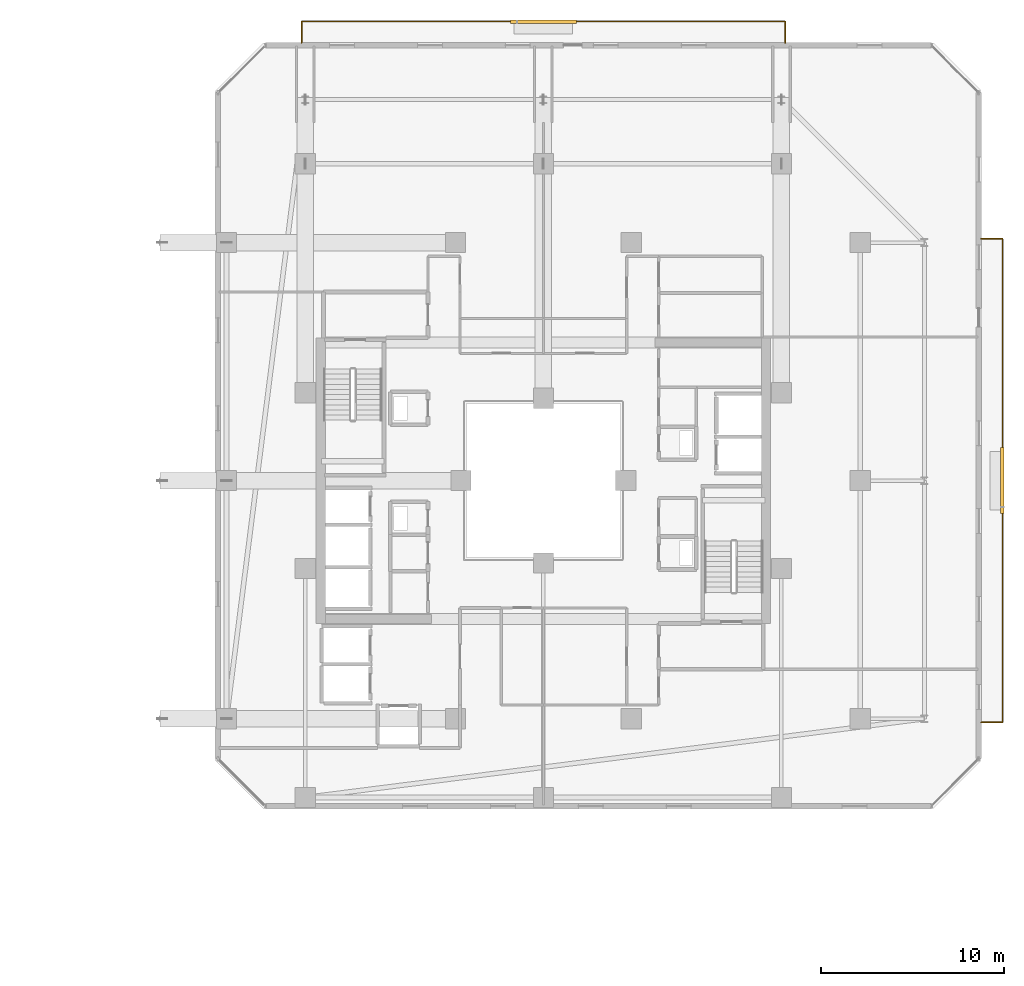
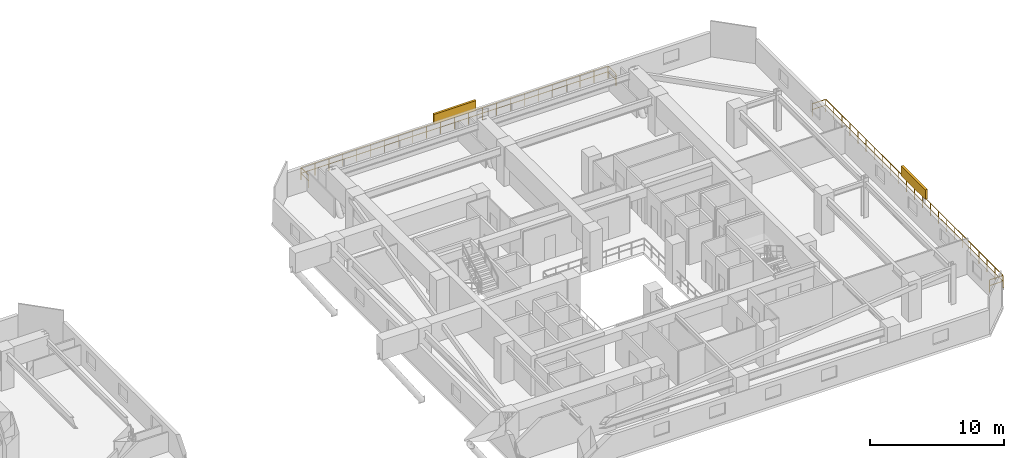
# One storey, part 36 of 36: 2 railings, 2 shading devices.
"""IFC4 building model written with IfcOpenShell, lengths in metres."""

from ifc_helpers import new_model, si_unit, direction, frame, origin, origin_2d, place, context, subcontext, project, spatial, rectangle, extrude, material, type_object, element, save


model = new_model("IFC4")

# Units and contexts
model_context = context("Model", 3, precision=1e-05, world=origin(), true_north=direction((0.0, 1.0)))
body_context = subcontext(model_context, "Body", "Model", "MODEL_VIEW")
ifc_project = project(units=[si_unit("LENGTHUNIT", "METRE"), si_unit("AREAUNIT", "SQUARE_METRE"), si_unit("VOLUMEUNIT", "CUBIC_METRE"), si_unit("PLANEANGLEUNIT", "RADIAN"), si_unit("MASSUNIT", "GRAM", prefix="KILO")], contexts=[model_context])

# Site, building, storey
site_placement = place(None, origin())
site = spatial("IfcSite", under=ifc_project, at=site_placement, CompositionType="ELEMENT")
building_placement = place(site_placement, origin())
building = spatial("IfcBuilding", under=site, at=building_placement, Name="Thornwick Lancets Civic Towers", CompositionType="ELEMENT")
storey_placement = place(building_placement, frame((0.0, 0.0, 170.699951171875)))
storey = spatial("IfcBuildingStorey", under=building, at=storey_placement, Name="L45", CompositionType="ELEMENT", Elevation=170.699951171875)

# Railings
ifc_material_1 = material(Name="Terracotta-capped laminated glass balustrade S355", Category="masonry")
railing_type = type_object("IfcRailingType", Name="RAIL_TERR_GUARD", PredefinedType="GUARDRAIL", material=ifc_material_1)
railing_1_placement = place(storey_placement, frame((112.39990234375, 13.800048828125, 0.0)))
element("IfcRailing", 1, at=railing_1_placement, inside=storey, type_object=railing_type, Name="L45 Tower B Balcony Guard E", PredefinedType="GUARDRAIL", context=body_context, shape_type="SweptSolid", body=[
    extrude(rectangle(XDim=0.048095703125, YDim=0.048095703125, at=origin_2d()), frame((0.0, 0.0, 1.1259765625), z_axis=(1.0, 0.0, 0.0), x_axis=(0.0, 1.0, 0.0)), (0.0, 0.0, 1.0), 1.138916015625),
    extrude(rectangle(XDim=0.0419921875, YDim=0.0419921875, at=origin_2d()), frame((0.03759765625, 0.0, 0.597900390625), z_axis=(1.0, 0.0, 0.0), x_axis=(0.0, 1.0, 0.0)), (0.0, 0.0, 1.0), 1.09521484375),
    extrude(rectangle(XDim=0.048095703125, YDim=0.048095703125, at=origin_2d()), frame((1.170166015625, 0.03125, 1.1259765625), z_axis=(0.0, 1.0, 0.0), x_axis=(-1.0, 0.0, 0.0)), (0.0, 0.0, 1.0), 26.33740234375),
    extrude(rectangle(XDim=0.0419921875, YDim=0.0419921875, at=origin_2d()), frame((1.170166015625, 0.03759765625, 0.597900390625), z_axis=(0.0, 1.0, 0.0), x_axis=(-1.0, 0.0, 0.0)), (0.0, 0.0, 1.0), 1.125),
    extrude(rectangle(XDim=0.0419921875, YDim=0.0419921875, at=origin_2d()), frame((1.170166015625, 1.237548828125, 0.597900390625), z_axis=(0.0, 1.0, 0.0), x_axis=(-1.0, 0.0, 0.0)), (0.0, 0.0, 1.0), 1.125),
    extrude(rectangle(XDim=0.0419921875, YDim=0.0419921875, at=origin_2d()), frame((1.170166015625, 2.4375, 0.597900390625), z_axis=(0.0, 1.0, 0.0), x_axis=(-1.0, 0.0, 0.0)), (0.0, 0.0, 1.0), 1.125),
    extrude(rectangle(XDim=0.0419921875, YDim=0.0419921875, at=origin_2d()), frame((1.170166015625, 3.637451171875, 0.597900390625), z_axis=(0.0, 1.0, 0.0), x_axis=(-1.0, 0.0, 0.0)), (0.0, 0.0, 1.0), 1.125),
    extrude(rectangle(XDim=0.0419921875, YDim=0.0419921875, at=origin_2d()), frame((1.170166015625, 4.83740234375, 0.597900390625), z_axis=(0.0, 1.0, 0.0), x_axis=(-1.0, 0.0, 0.0)), (0.0, 0.0, 1.0), 1.125),
    extrude(rectangle(XDim=0.0419921875, YDim=0.0419921875, at=origin_2d()), frame((1.170166015625, 6.037353515625, 0.597900390625), z_axis=(0.0, 1.0, 0.0), x_axis=(-1.0, 0.0, 0.0)), (0.0, 0.0, 1.0), 1.125),
    extrude(rectangle(XDim=0.0419921875, YDim=0.0419921875, at=origin_2d()), frame((1.170166015625, 7.237548828125, 0.597900390625), z_axis=(0.0, 1.0, 0.0), x_axis=(-1.0, 0.0, 0.0)), (0.0, 0.0, 1.0), 1.125),
    extrude(rectangle(XDim=0.0419921875, YDim=0.0419921875, at=origin_2d()), frame((1.170166015625, 8.4375, 0.597900390625), z_axis=(0.0, 1.0, 0.0), x_axis=(-1.0, 0.0, 0.0)), (0.0, 0.0, 1.0), 1.125),
    extrude(rectangle(XDim=0.0419921875, YDim=0.0419921875, at=origin_2d()), frame((1.170166015625, 9.637451171875, 0.597900390625), z_axis=(0.0, 1.0, 0.0), x_axis=(-1.0, 0.0, 0.0)), (0.0, 0.0, 1.0), 1.125),
    extrude(rectangle(XDim=0.0419921875, YDim=0.0419921875, at=origin_2d()), frame((1.170166015625, 10.83740234375, 0.597900390625), z_axis=(0.0, 1.0, 0.0), x_axis=(-1.0, 0.0, 0.0)), (0.0, 0.0, 1.0), 1.125),
    extrude(rectangle(XDim=0.0419921875, YDim=0.0419921875, at=origin_2d()), frame((1.170166015625, 12.037353515625, 0.597900390625), z_axis=(0.0, 1.0, 0.0), x_axis=(-1.0, 0.0, 0.0)), (0.0, 0.0, 1.0), 1.125),
    extrude(rectangle(XDim=0.0419921875, YDim=0.0419921875, at=origin_2d()), frame((1.170166015625, 13.237548828125, 0.597900390625), z_axis=(0.0, 1.0, 0.0), x_axis=(-1.0, 0.0, 0.0)), (0.0, 0.0, 1.0), 1.125),
    extrude(rectangle(XDim=0.0419921875, YDim=0.0419921875, at=origin_2d()), frame((1.170166015625, 14.4375, 0.597900390625), z_axis=(0.0, 1.0, 0.0), x_axis=(-1.0, 0.0, 0.0)), (0.0, 0.0, 1.0), 1.125),
    extrude(rectangle(XDim=0.0419921875, YDim=0.0419921875, at=origin_2d()), frame((1.170166015625, 15.637451171875, 0.597900390625), z_axis=(0.0, 1.0, 0.0), x_axis=(-1.0, 0.0, 0.0)), (0.0, 0.0, 1.0), 1.125),
    extrude(rectangle(XDim=0.0419921875, YDim=0.0419921875, at=origin_2d()), frame((1.170166015625, 16.83740234375, 0.597900390625), z_axis=(0.0, 1.0, 0.0), x_axis=(-1.0, 0.0, 0.0)), (0.0, 0.0, 1.0), 1.125),
    extrude(rectangle(XDim=0.0419921875, YDim=0.0419921875, at=origin_2d()), frame((1.170166015625, 18.037353515625, 0.597900390625), z_axis=(0.0, 1.0, 0.0), x_axis=(-1.0, 0.0, 0.0)), (0.0, 0.0, 1.0), 1.125),
    extrude(rectangle(XDim=0.0419921875, YDim=0.0419921875, at=origin_2d()), frame((1.170166015625, 19.2373046875, 0.597900390625), z_axis=(0.0, 1.0, 0.0), x_axis=(-1.0, 0.0, 0.0)), (0.0, 0.0, 1.0), 1.125),
    extrude(rectangle(XDim=0.0419921875, YDim=0.0419921875, at=origin_2d()), frame((1.170166015625, 20.4375, 0.597900390625), z_axis=(0.0, 1.0, 0.0), x_axis=(-1.0, 0.0, 0.0)), (0.0, 0.0, 1.0), 1.125),
    extrude(rectangle(XDim=0.0419921875, YDim=0.0419921875, at=origin_2d()), frame((1.170166015625, 21.637451171875, 0.597900390625), z_axis=(0.0, 1.0, 0.0), x_axis=(-1.0, 0.0, 0.0)), (0.0, 0.0, 1.0), 1.125),
    extrude(rectangle(XDim=0.0419921875, YDim=0.0419921875, at=origin_2d()), frame((1.170166015625, 22.83740234375, 0.597900390625), z_axis=(0.0, 1.0, 0.0), x_axis=(-1.0, 0.0, 0.0)), (0.0, 0.0, 1.0), 1.125),
    extrude(rectangle(XDim=0.0419921875, YDim=0.0419921875, at=origin_2d()), frame((1.170166015625, 24.037353515625, 0.597900390625), z_axis=(0.0, 1.0, 0.0), x_axis=(-1.0, 0.0, 0.0)), (0.0, 0.0, 1.0), 1.125),
    extrude(rectangle(XDim=0.0419921875, YDim=0.0419921875, at=origin_2d()), frame((1.170166015625, 25.2373046875, 0.597900390625), z_axis=(0.0, 1.0, 0.0), x_axis=(-1.0, 0.0, 0.0)), (0.0, 0.0, 1.0), 1.125),
    extrude(rectangle(XDim=0.048095703125, YDim=0.048095703125, at=origin_2d()), frame((1.138916015625, 26.39990234375, 1.1259765625), z_axis=(-1.0, 0.0, 0.0), x_axis=(0.0, -1.0, 0.0)), (0.0, 0.0, 1.0), 1.138916015625),
    extrude(rectangle(XDim=0.0419921875, YDim=0.0419921875, at=origin_2d()), frame((1.132568359375, 26.39990234375, 0.597900390625), z_axis=(-1.0, 0.0, 0.0), x_axis=(0.0, -1.0, 0.0)), (0.0, 0.0, 1.0), 1.09521484375),
    extrude(rectangle(XDim=0.0419921875, YDim=0.0419921875, at=origin_2d()), origin(), (0.0, 0.0, 1.0), 1.095703125),
    extrude(rectangle(XDim=0.0419921875, YDim=0.0419921875, at=origin_2d()), frame((1.170166015625, 0.0, 0.0)), (0.0, 0.0, 1.0), 1.095703125),
    extrude(rectangle(XDim=0.0419921875, YDim=0.0419921875, at=origin_2d()), frame((1.170166015625, 1.199951171875, 0.0)), (0.0, 0.0, 1.0), 1.095703125),
    extrude(rectangle(XDim=0.0419921875, YDim=0.0419921875, at=origin_2d()), frame((1.170166015625, 2.39990234375, 0.0)), (0.0, 0.0, 1.0), 1.095703125),
    extrude(rectangle(XDim=0.0419921875, YDim=0.0419921875, at=origin_2d()), frame((1.170166015625, 3.60009765625, 0.0)), (0.0, 0.0, 1.0), 1.095703125),
    extrude(rectangle(XDim=0.0419921875, YDim=0.0419921875, at=origin_2d()), frame((1.170166015625, 4.800048828125, 0.0)), (0.0, 0.0, 1.0), 1.095703125),
    extrude(rectangle(XDim=0.0419921875, YDim=0.0419921875, at=origin_2d()), frame((1.170166015625, 6.0, 0.0)), (0.0, 0.0, 1.0), 1.095703125),
    extrude(rectangle(XDim=0.0419921875, YDim=0.0419921875, at=origin_2d()), frame((1.170166015625, 7.199951171875, 0.0)), (0.0, 0.0, 1.0), 1.095703125),
    extrude(rectangle(XDim=0.0419921875, YDim=0.0419921875, at=origin_2d()), frame((1.170166015625, 8.39990234375, 0.0)), (0.0, 0.0, 1.0), 1.095703125),
    extrude(rectangle(XDim=0.0419921875, YDim=0.0419921875, at=origin_2d()), frame((1.170166015625, 9.599853515625, 0.0)), (0.0, 0.0, 1.0), 1.095703125),
    extrude(rectangle(XDim=0.0419921875, YDim=0.0419921875, at=origin_2d()), frame((1.170166015625, 10.800048828125, 0.0)), (0.0, 0.0, 1.0), 1.095703125),
    extrude(rectangle(XDim=0.0419921875, YDim=0.0419921875, at=origin_2d()), frame((1.170166015625, 12.0, 0.0)), (0.0, 0.0, 1.0), 1.095703125),
    extrude(rectangle(XDim=0.0419921875, YDim=0.0419921875, at=origin_2d()), frame((1.170166015625, 13.199951171875, 0.0)), (0.0, 0.0, 1.0), 1.095703125),
    extrude(rectangle(XDim=0.0419921875, YDim=0.0419921875, at=origin_2d()), frame((1.170166015625, 14.39990234375, 0.0)), (0.0, 0.0, 1.0), 1.095703125),
    extrude(rectangle(XDim=0.0419921875, YDim=0.0419921875, at=origin_2d()), frame((1.170166015625, 15.599853515625, 0.0)), (0.0, 0.0, 1.0), 1.095703125),
    extrude(rectangle(XDim=0.0419921875, YDim=0.0419921875, at=origin_2d()), frame((1.170166015625, 16.800048828125, 0.0)), (0.0, 0.0, 1.0), 1.095703125),
    extrude(rectangle(XDim=0.0419921875, YDim=0.0419921875, at=origin_2d()), frame((1.170166015625, 18.0, 0.0)), (0.0, 0.0, 1.0), 1.095703125),
    extrude(rectangle(XDim=0.0419921875, YDim=0.0419921875, at=origin_2d()), frame((1.170166015625, 19.199951171875, 0.0)), (0.0, 0.0, 1.0), 1.095703125),
    extrude(rectangle(XDim=0.0419921875, YDim=0.0419921875, at=origin_2d()), frame((1.170166015625, 20.39990234375, 0.0)), (0.0, 0.0, 1.0), 1.095703125),
    extrude(rectangle(XDim=0.0419921875, YDim=0.0419921875, at=origin_2d()), frame((1.170166015625, 21.599853515625, 0.0)), (0.0, 0.0, 1.0), 1.095703125),
    extrude(rectangle(XDim=0.0419921875, YDim=0.0419921875, at=origin_2d()), frame((1.170166015625, 22.7998046875, 0.0)), (0.0, 0.0, 1.0), 1.095703125),
    extrude(rectangle(XDim=0.0419921875, YDim=0.0419921875, at=origin_2d()), frame((1.170166015625, 24.0, 0.0)), (0.0, 0.0, 1.0), 1.095703125),
    extrude(rectangle(XDim=0.0419921875, YDim=0.0419921875, at=origin_2d()), frame((1.170166015625, 25.199951171875, 0.0)), (0.0, 0.0, 1.0), 1.095703125),
    extrude(rectangle(XDim=0.0419921875, YDim=0.0419921875, at=origin_2d()), frame((1.170166015625, 26.39990234375, 0.0)), (0.0, 0.0, 1.0), 1.095703125),
    extrude(rectangle(XDim=0.0419921875, YDim=0.0419921875, at=origin_2d()), frame((0.0, 26.39990234375, 0.0)), (0.0, 0.0, 1.0), 1.095703125),
])
railing_2_placement = place(storey_placement, frame((75.300048828125, 50.89990234375, 0.0)))
element("IfcRailing", 2, at=railing_2_placement, inside=storey, type_object=railing_type, Name="L45 Tower B Balcony Guard N", PredefinedType="GUARDRAIL", context=body_context, shape_type="SweptSolid", body=[
    extrude(rectangle(XDim=0.048095703125, YDim=0.048095703125, at=origin_2d()), frame((0.0, 0.0, 1.1259765625), z_axis=(0.0, 1.0, 0.0), x_axis=(-1.0, 0.0, 0.0)), (0.0, 0.0, 1.0), 1.138916015625),
    extrude(rectangle(XDim=0.0419921875, YDim=0.0419921875, at=origin_2d()), frame((0.0, 0.03759765625, 0.597900390625), z_axis=(0.0, 1.0, 0.0), x_axis=(-1.0, 0.0, 0.0)), (0.0, 0.0, 1.0), 1.09521484375),
    extrude(rectangle(XDim=0.048095703125, YDim=0.048095703125, at=origin_2d()), frame((0.03125, 1.170166015625, 1.1259765625), z_axis=(1.0, 0.0, 0.0), x_axis=(0.0, 1.0, 0.0)), (0.0, 0.0, 1.0), 26.33740234375),
    extrude(rectangle(XDim=0.0419921875, YDim=0.0419921875, at=origin_2d()), frame((0.03759765625, 1.170166015625, 0.597900390625), z_axis=(1.0, 0.0, 0.0), x_axis=(0.0, 1.0, 0.0)), (0.0, 0.0, 1.0), 1.125),
    extrude(rectangle(XDim=0.0419921875, YDim=0.0419921875, at=origin_2d()), frame((1.237548828125, 1.170166015625, 0.597900390625), z_axis=(1.0, 0.0, 0.0), x_axis=(0.0, 1.0, 0.0)), (0.0, 0.0, 1.0), 1.125),
    extrude(rectangle(XDim=0.0419921875, YDim=0.0419921875, at=origin_2d()), frame((2.4375, 1.170166015625, 0.597900390625), z_axis=(1.0, 0.0, 0.0), x_axis=(0.0, 1.0, 0.0)), (0.0, 0.0, 1.0), 1.125),
    extrude(rectangle(XDim=0.0419921875, YDim=0.0419921875, at=origin_2d()), frame((3.637451171875, 1.170166015625, 0.597900390625), z_axis=(1.0, 0.0, 0.0), x_axis=(0.0, 1.0, 0.0)), (0.0, 0.0, 1.0), 1.125),
    extrude(rectangle(XDim=0.0419921875, YDim=0.0419921875, at=origin_2d()), frame((4.83740234375, 1.170166015625, 0.597900390625), z_axis=(1.0, 0.0, 0.0), x_axis=(0.0, 1.0, 0.0)), (0.0, 0.0, 1.0), 1.125),
    extrude(rectangle(XDim=0.0419921875, YDim=0.0419921875, at=origin_2d()), frame((6.037353515625, 1.170166015625, 0.597900390625), z_axis=(1.0, 0.0, 0.0), x_axis=(0.0, 1.0, 0.0)), (0.0, 0.0, 1.0), 1.125),
    extrude(rectangle(XDim=0.0419921875, YDim=0.0419921875, at=origin_2d()), frame((7.237548828125, 1.170166015625, 0.597900390625), z_axis=(1.0, 0.0, 0.0), x_axis=(0.0, 1.0, 0.0)), (0.0, 0.0, 1.0), 1.125),
    extrude(rectangle(XDim=0.0419921875, YDim=0.0419921875, at=origin_2d()), frame((8.4375, 1.170166015625, 0.597900390625), z_axis=(1.0, 0.0, 0.0), x_axis=(0.0, 1.0, 0.0)), (0.0, 0.0, 1.0), 1.125),
    extrude(rectangle(XDim=0.0419921875, YDim=0.0419921875, at=origin_2d()), frame((9.637451171875, 1.170166015625, 0.597900390625), z_axis=(1.0, 0.0, 0.0), x_axis=(0.0, 1.0, 0.0)), (0.0, 0.0, 1.0), 1.125),
    extrude(rectangle(XDim=0.0419921875, YDim=0.0419921875, at=origin_2d()), frame((10.83740234375, 1.170166015625, 0.597900390625), z_axis=(1.0, 0.0, 0.0), x_axis=(0.0, 1.0, 0.0)), (0.0, 0.0, 1.0), 1.125),
    extrude(rectangle(XDim=0.0419921875, YDim=0.0419921875, at=origin_2d()), frame((12.037353515625, 1.170166015625, 0.597900390625), z_axis=(1.0, 0.0, 0.0), x_axis=(0.0, 1.0, 0.0)), (0.0, 0.0, 1.0), 1.125),
    extrude(rectangle(XDim=0.0419921875, YDim=0.0419921875, at=origin_2d()), frame((13.237548828125, 1.170166015625, 0.597900390625), z_axis=(1.0, 0.0, 0.0), x_axis=(0.0, 1.0, 0.0)), (0.0, 0.0, 1.0), 1.125),
    extrude(rectangle(XDim=0.0419921875, YDim=0.0419921875, at=origin_2d()), frame((14.4375, 1.170166015625, 0.597900390625), z_axis=(1.0, 0.0, 0.0), x_axis=(0.0, 1.0, 0.0)), (0.0, 0.0, 1.0), 1.125),
    extrude(rectangle(XDim=0.0419921875, YDim=0.0419921875, at=origin_2d()), frame((15.637451171875, 1.170166015625, 0.597900390625), z_axis=(1.0, 0.0, 0.0), x_axis=(0.0, 1.0, 0.0)), (0.0, 0.0, 1.0), 1.125),
    extrude(rectangle(XDim=0.0419921875, YDim=0.0419921875, at=origin_2d()), frame((16.83740234375, 1.170166015625, 0.597900390625), z_axis=(1.0, 0.0, 0.0), x_axis=(0.0, 1.0, 0.0)), (0.0, 0.0, 1.0), 1.125),
    extrude(rectangle(XDim=0.0419921875, YDim=0.0419921875, at=origin_2d()), frame((18.037353515625, 1.170166015625, 0.597900390625), z_axis=(1.0, 0.0, 0.0), x_axis=(0.0, 1.0, 0.0)), (0.0, 0.0, 1.0), 1.125),
    extrude(rectangle(XDim=0.0419921875, YDim=0.0419921875, at=origin_2d()), frame((19.2373046875, 1.170166015625, 0.597900390625), z_axis=(1.0, 0.0, 0.0), x_axis=(0.0, 1.0, 0.0)), (0.0, 0.0, 1.0), 1.125),
    extrude(rectangle(XDim=0.0419921875, YDim=0.0419921875, at=origin_2d()), frame((20.4375, 1.170166015625, 0.597900390625), z_axis=(1.0, 0.0, 0.0), x_axis=(0.0, 1.0, 0.0)), (0.0, 0.0, 1.0), 1.125),
    extrude(rectangle(XDim=0.0419921875, YDim=0.0419921875, at=origin_2d()), frame((21.637451171875, 1.170166015625, 0.597900390625), z_axis=(1.0, 0.0, 0.0), x_axis=(0.0, 1.0, 0.0)), (0.0, 0.0, 1.0), 1.125),
    extrude(rectangle(XDim=0.0419921875, YDim=0.0419921875, at=origin_2d()), frame((22.83740234375, 1.170166015625, 0.597900390625), z_axis=(1.0, 0.0, 0.0), x_axis=(0.0, 1.0, 0.0)), (0.0, 0.0, 1.0), 1.125),
    extrude(rectangle(XDim=0.0419921875, YDim=0.0419921875, at=origin_2d()), frame((24.037353515625, 1.170166015625, 0.597900390625), z_axis=(1.0, 0.0, 0.0), x_axis=(0.0, 1.0, 0.0)), (0.0, 0.0, 1.0), 1.125),
    extrude(rectangle(XDim=0.0419921875, YDim=0.0419921875, at=origin_2d()), frame((25.2373046875, 1.170166015625, 0.597900390625), z_axis=(1.0, 0.0, 0.0), x_axis=(0.0, 1.0, 0.0)), (0.0, 0.0, 1.0), 1.125),
    extrude(rectangle(XDim=0.048095703125, YDim=0.048095703125, at=origin_2d()), frame((26.39990234375, 1.138916015625, 1.1259765625), z_axis=(0.0, -1.0, 0.0), x_axis=(1.0, 0.0, 0.0)), (0.0, 0.0, 1.0), 1.138916015625),
    extrude(rectangle(XDim=0.0419921875, YDim=0.0419921875, at=origin_2d()), frame((26.39990234375, 1.132568359375, 0.597900390625), z_axis=(0.0, -1.0, 0.0), x_axis=(1.0, 0.0, 0.0)), (0.0, 0.0, 1.0), 1.09521484375),
    extrude(rectangle(XDim=0.0419921875, YDim=0.0419921875, at=origin_2d()), origin(), (0.0, 0.0, 1.0), 1.095703125),
    extrude(rectangle(XDim=0.0419921875, YDim=0.0419921875, at=origin_2d()), frame((0.0, 1.170166015625, 0.0)), (0.0, 0.0, 1.0), 1.095703125),
    extrude(rectangle(XDim=0.0419921875, YDim=0.0419921875, at=origin_2d()), frame((1.199951171875, 1.170166015625, 0.0)), (0.0, 0.0, 1.0), 1.095703125),
    extrude(rectangle(XDim=0.0419921875, YDim=0.0419921875, at=origin_2d()), frame((2.39990234375, 1.170166015625, 0.0)), (0.0, 0.0, 1.0), 1.095703125),
    extrude(rectangle(XDim=0.0419921875, YDim=0.0419921875, at=origin_2d()), frame((3.60009765625, 1.170166015625, 0.0)), (0.0, 0.0, 1.0), 1.095703125),
    extrude(rectangle(XDim=0.0419921875, YDim=0.0419921875, at=origin_2d()), frame((4.800048828125, 1.170166015625, 0.0)), (0.0, 0.0, 1.0), 1.095703125),
    extrude(rectangle(XDim=0.0419921875, YDim=0.0419921875, at=origin_2d()), frame((6.0, 1.170166015625, 0.0)), (0.0, 0.0, 1.0), 1.095703125),
    extrude(rectangle(XDim=0.0419921875, YDim=0.0419921875, at=origin_2d()), frame((7.199951171875, 1.170166015625, 0.0)), (0.0, 0.0, 1.0), 1.095703125),
    extrude(rectangle(XDim=0.0419921875, YDim=0.0419921875, at=origin_2d()), frame((8.39990234375, 1.170166015625, 0.0)), (0.0, 0.0, 1.0), 1.095703125),
    extrude(rectangle(XDim=0.0419921875, YDim=0.0419921875, at=origin_2d()), frame((9.599853515625, 1.170166015625, 0.0)), (0.0, 0.0, 1.0), 1.095703125),
    extrude(rectangle(XDim=0.0419921875, YDim=0.0419921875, at=origin_2d()), frame((10.800048828125, 1.170166015625, 0.0)), (0.0, 0.0, 1.0), 1.095703125),
    extrude(rectangle(XDim=0.0419921875, YDim=0.0419921875, at=origin_2d()), frame((12.0, 1.170166015625, 0.0)), (0.0, 0.0, 1.0), 1.095703125),
    extrude(rectangle(XDim=0.0419921875, YDim=0.0419921875, at=origin_2d()), frame((13.199951171875, 1.170166015625, 0.0)), (0.0, 0.0, 1.0), 1.095703125),
    extrude(rectangle(XDim=0.0419921875, YDim=0.0419921875, at=origin_2d()), frame((14.39990234375, 1.170166015625, 0.0)), (0.0, 0.0, 1.0), 1.095703125),
    extrude(rectangle(XDim=0.0419921875, YDim=0.0419921875, at=origin_2d()), frame((15.599853515625, 1.170166015625, 0.0)), (0.0, 0.0, 1.0), 1.095703125),
    extrude(rectangle(XDim=0.0419921875, YDim=0.0419921875, at=origin_2d()), frame((16.800048828125, 1.170166015625, 0.0)), (0.0, 0.0, 1.0), 1.095703125),
    extrude(rectangle(XDim=0.0419921875, YDim=0.0419921875, at=origin_2d()), frame((18.0, 1.170166015625, 0.0)), (0.0, 0.0, 1.0), 1.095703125),
    extrude(rectangle(XDim=0.0419921875, YDim=0.0419921875, at=origin_2d()), frame((19.199951171875, 1.170166015625, 0.0)), (0.0, 0.0, 1.0), 1.095703125),
    extrude(rectangle(XDim=0.0419921875, YDim=0.0419921875, at=origin_2d()), frame((20.39990234375, 1.170166015625, 0.0)), (0.0, 0.0, 1.0), 1.095703125),
    extrude(rectangle(XDim=0.0419921875, YDim=0.0419921875, at=origin_2d()), frame((21.599853515625, 1.170166015625, 0.0)), (0.0, 0.0, 1.0), 1.095703125),
    extrude(rectangle(XDim=0.0419921875, YDim=0.0419921875, at=origin_2d()), frame((22.7998046875, 1.170166015625, 0.0)), (0.0, 0.0, 1.0), 1.095703125),
    extrude(rectangle(XDim=0.0419921875, YDim=0.0419921875, at=origin_2d()), frame((24.0, 1.170166015625, 0.0)), (0.0, 0.0, 1.0), 1.095703125),
    extrude(rectangle(XDim=0.0419921875, YDim=0.0419921875, at=origin_2d()), frame((25.199951171875, 1.170166015625, 0.0)), (0.0, 0.0, 1.0), 1.095703125),
    extrude(rectangle(XDim=0.0419921875, YDim=0.0419921875, at=origin_2d()), frame((26.39990234375, 1.170166015625, 0.0)), (0.0, 0.0, 1.0), 1.095703125),
    extrude(rectangle(XDim=0.0419921875, YDim=0.0419921875, at=origin_2d()), frame((26.39990234375, 0.0, 0.0)), (0.0, 0.0, 1.0), 1.095703125),
])

# Shading devices
ifc_material_2 = material(Name="Extruded terracotta baguette solar screen", Category="masonry")
shading_device_type = type_object("IfcShadingDeviceType", Name="SHADE_BAGUETTE", PredefinedType="JALOUSIE", material=ifc_material_2)
for number, where, z_axis, x_axis, name in (
    (3, (113.56005859375, 27.0, 1.1201171875), (0.0, 0.0, 1.0), (0.0, 1.0, 0.0), "L45 Tower B Terracotta Baguette Screen E"),
    (4, (88.5, 52.06005859375, 1.1201171875), (0.0, 0.0, 1.0), (1.0, 0.0, 0.0), "L45 Tower B Terracotta Baguette Screen N"),
):
    element("IfcShadingDevice", number, at=place(storey_placement, frame(where, z_axis=z_axis, x_axis=x_axis)), inside=storey, type_object=shading_device_type, Name=name, PredefinedType="JALOUSIE", context=body_context, shape_type="SweptSolid", body=[
        extrude(rectangle(XDim=3.60009765625, YDim=0.179931640625, at=origin_2d()), origin(), (0.0, 0.0, 1.0), 0.89990234375),
    ])

save(model, "model.ifc")
